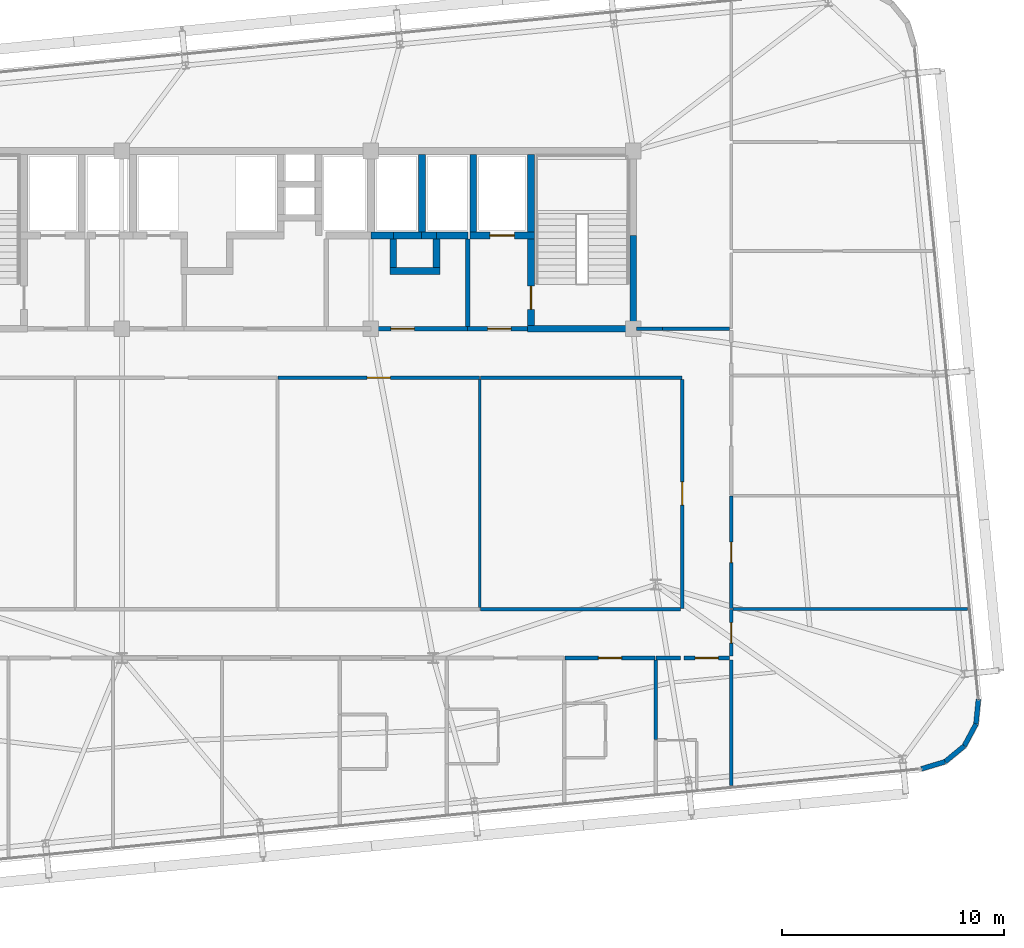
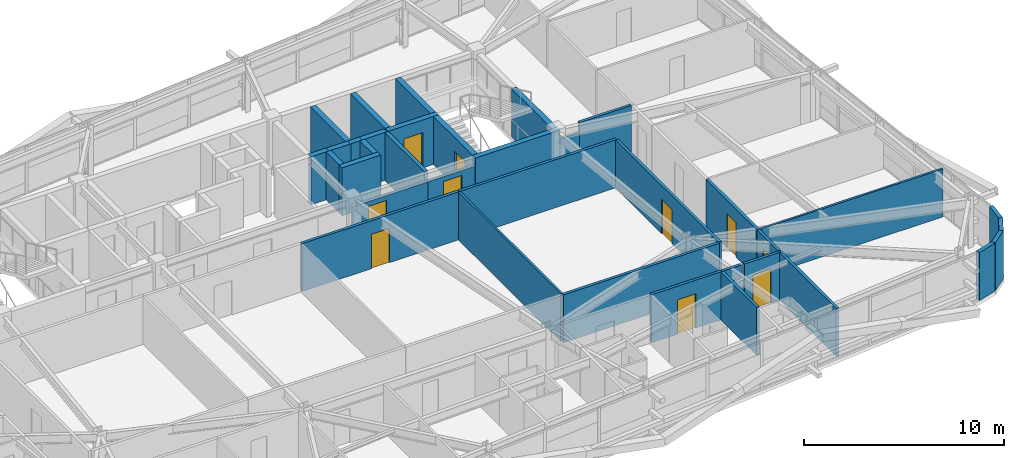
# One storey, part 49 of 53: 36 walls, 10 doors, 10 openings.
"""IFC4 building model written with IfcOpenShell, lengths in metres."""

from ifc_helpers import new_model, si_unit, direction, frame, frame_2d, origin, place, context, subcontext, project, spatial, rectangle, extrude, source, transform, mapped, material, layer, layer_set, type_object, element, fill, save


model = new_model("IFC4")

# Units and contexts
model_context = context("Model", 3, precision=1e-05, world=origin(), true_north=direction((0.0, 1.0)))
body_context = subcontext(model_context, "Body", "Model", "MODEL_VIEW")
ifc_project = project(units=[si_unit("LENGTHUNIT", "METRE"), si_unit("AREAUNIT", "SQUARE_METRE"), si_unit("VOLUMEUNIT", "CUBIC_METRE"), si_unit("PLANEANGLEUNIT", "RADIAN"), si_unit("MASSUNIT", "GRAM", prefix="KILO")], contexts=[model_context])

# Site, building, storey
site_placement = place(None, origin())
site = spatial("IfcSite", under=ifc_project, at=site_placement, CompositionType="ELEMENT")
building_placement = place(site_placement, origin())
building = spatial("IfcBuilding", under=site, at=building_placement, Name="Taldren Reach Tower", CompositionType="ELEMENT")
storey_placement = place(building_placement, frame((0.0, 0.0, 71.39990234375)))
storey = spatial("IfcBuildingStorey", under=building, at=storey_placement, Name="L21", CompositionType="ELEMENT", Elevation=71.39990234375)

# Walls
ifc_material_1 = material(Name="Pale Champagne Anodised Aluminium Cladding", Category="aluminium")
ifc_layer_1 = layer(ifc_material_1, 0.04, Name="Pale Champagne Anodised Aluminium Cladding", Category="aluminium")
ifc_material_2 = material(Name="Mineral Wool Acoustic Insulation", Category="insulation")
ifc_layer_2 = layer(ifc_material_2, 0.06, Name="Mineral Wool Acoustic Insulation", Category="insulation")
ifc_material_3 = material(Name="Steel Gr 350 (C350L0)", Category="steel")
ifc_layer_3 = layer(ifc_material_3, 0.12, Name="Steel Gr 350 (C350L0)", Category="steel")
ifc_layer_set_1 = layer_set([ifc_layer_1, ifc_layer_2, ifc_layer_3], Name="Pale Champagne Aluminium Cladding and Steel Gr 350 Stud Framing")
wall_type_1 = type_object("IfcWallType", Name="EW-CRN-220", PredefinedType="SOLIDWALL", material=ifc_layer_set_1)
shared_shape_1 = source(origin(), body_context, "Body", "SweptSolid", [
    extrude(rectangle(XDim=1.115966796875, YDim=0.219970703125, at=frame_2d((0.55810546875, 0.0))), origin(), (0.0, 0.0, 1.0), 2.93017578125),
])
for number, where, z_axis, x_axis, name in (
    (1, (65.01708984375, 4.537109375, 0.0), (0.0, 0.0, 1.0), (0.773342870285, 0.633988016432, 0.0), "Rounded-corner pale-metal facade wall L21-SE2"),
    (2, (66.406494140625, 6.228515625, 0.0), (0.0, 0.0, 1.0), (0.09844234778, 0.995142755671, 0.0), "Rounded-corner pale-metal facade wall L21-SE4"),
):
    element("IfcWall", number, at=place(storey_placement, frame(where, z_axis=z_axis, x_axis=x_axis)), inside=storey, type_object=wall_type_1, Name=name, PredefinedType="SOLIDWALL", context=body_context, shape_type="MappedRepresentation", body=[
        mapped(shared_shape_1, transform((0.0, 0.0, 0.0), scale=1.0)),
    ])
shared_shape_2 = source(origin(), body_context, "Body", "SweptSolid", [
    extrude(rectangle(XDim=1.11572265625, YDim=0.219970703125, at=frame_2d((0.557861328125, 0.0))), origin(), (0.0, 0.0, 1.0), 2.93017578125),
])
for number, where, z_axis, x_axis, name in (
    (3, (63.94921875, 4.213623046875, 0.0), (0.0, 0.0, 1.0), (0.957052003726, 0.289916301997, 0.0), "Rounded-corner pale-metal facade wall L21-SE1"),
    (4, (65.880126953125, 5.24462890625, 0.0), (0.0, 0.0, 1.0), (0.471723463201, 0.881746547635, 0.0), "Rounded-corner pale-metal facade wall L21-SE3"),
):
    element("IfcWall", number, at=place(storey_placement, frame(where, z_axis=z_axis, x_axis=x_axis)), inside=storey, type_object=wall_type_1, Name=name, PredefinedType="SOLIDWALL", context=body_context, shape_type="MappedRepresentation", body=[
        mapped(shared_shape_2, transform((0.0, 0.0, 0.0), scale=1.0)),
    ])

# Wall, opening, door
ifc_material_4 = material(Name="Fire-Rated Acoustic Plasterboard Stud Wall", Category="gypsum")
ifc_layer_4 = layer(ifc_material_4, 0.159912109375)
ifc_layer_set_2 = layer_set([ifc_layer_4], Name="Fire-Rated Acoustic Plasterboard Stud Wall")
wall_type_2 = type_object("IfcWallType", Name="IW-FIRE-160", PredefinedType="PARTITIONING", material=ifc_layer_set_2)
shared_shape_3 = source(origin(), body_context, "Body", "SweptSolid", [
    extrude(rectangle(XDim=2.0400390625, YDim=0.159912109375, at=frame_2d((1.02001953125, 0.0))), origin(), (0.0, 0.0, 1.0), 2.93017578125),
])
wall_1_placement = place(storey_placement, frame((55.320068359375, 9.199951171875, 0.0), z_axis=(0.0, 0.0, 1.0), x_axis=(-1.0, 0.0, 0.0)))
wall_1 = element("IfcWall", 5, at=wall_1_placement, inside=storey, type_object=wall_type_2, Name="Interior Partition Wall W-INT-L21-052", PredefinedType="PARTITIONING", context=body_context, shape_type="MappedRepresentation", body=[
    mapped(shared_shape_3, transform((0.0, 0.0, 0.0), scale=1.0)),
])
shared_shape_4 = source(origin(), body_context, "Body", "SweptSolid", [
    extrude(rectangle(XDim=1.050048828125, YDim=2.10009765625, at=frame_2d((0.52490234375, 1.050048828125))), frame((0.0, 0.08984375, 0.0), z_axis=(0.0, -1.0, 0.0), x_axis=(1.0, 0.0, 0.0)), (0.0, 0.0, 1.0), 0.179931640625),
])
opening_1_placement = place(wall_1_placement, frame((0.4951171875, 0.0, 0.0)))
opening_1 = element("IfcOpeningElement", 6, at=opening_1_placement, cuts=wall_1, Name="Opening DF-105", PredefinedType="OPENING", context=body_context, shape_type="MappedRepresentation", body=[
    mapped(shared_shape_4, transform((0.0, 0.0, 0.0), scale=1.0)),
])
ifc_material_5 = material(Name="Fire-Rated Care and Stair Exit Door")
door_type_1 = type_object("IfcDoorType", Name="ID-FIRE-105", OperationType="NOTDEFINED", PredefinedType="DOOR", material=ifc_material_5)
shared_shape_5 = source(origin(), body_context, "Body", "SweptSolid", [
    extrude(rectangle(XDim=1.050048828125, YDim=2.10009765625, at=frame_2d((0.52490234375, 1.050048828125))), frame((0.0, 0.02490234375, 0.0), z_axis=(0.0, -1.0, 0.0), x_axis=(1.0, 0.0, 0.0)), (0.0, 0.0, 1.0), 0.050048828125),
])
door_1_placement = place(opening_1_placement, origin())
door_1 = element("IfcDoor", 7, at=door_1_placement, inside=storey, type_object=door_type_1, Name="Interior Door DR-L21-013", OperationType="SINGLE_SWING_RIGHT", OverallHeight=2.10009765625, OverallWidth=1.050048828125, PredefinedType="DOOR", context=body_context, shape_type="MappedRepresentation", body=[
    mapped(shared_shape_5, transform((0.0, 0.0, 0.0), scale=1.0)),
])
fill(opening_1, door_1)

# Walls
shared_shape_6 = source(origin(), body_context, "Body", "SweptSolid", [
    extrude(rectangle(XDim=1.099853515625, YDim=0.159912109375, at=frame_2d((0.5498046875, 0.0))), origin(), (0.0, 0.0, 1.0), 2.93017578125),
])
wall_2_placement = place(storey_placement, frame((53.1201171875, 9.199951171875, 0.0), z_axis=(0.0, 0.0, 1.0), x_axis=(-1.0, 0.0, 0.0)))
element("IfcWall", 8, at=wall_2_placement, inside=storey, type_object=wall_type_2, Name="Interior Partition Wall W-INT-L21-077", PredefinedType="PARTITIONING", context=body_context, shape_type="MappedRepresentation", body=[
    mapped(shared_shape_6, transform((0.0, 0.0, 0.0), scale=1.0)),
])
ifc_material_6 = material(Name="Concrete S65 (65 MPa)", Category="concrete")
ifc_layer_5 = layer(ifc_material_6, 0.300048828125)
ifc_layer_set_3 = layer_set([ifc_layer_5], Name="Concrete S65 (65 MPa)")
wall_type_3 = type_object("IfcWallType", Name="IW-CORE-300", PredefinedType="SHEAR", material=ifc_layer_set_3)
shared_shape_7 = source(origin(), body_context, "Body", "SweptSolid", [
    extrude(rectangle(XDim=4.050048828125, YDim=0.300048828125, at=frame_2d((2.02490234375, 0.0))), origin(), (0.0, 0.0, 1.0), 2.93017578125),
])
wall_3_placement = place(storey_placement, frame((51.0, 24.14990234375, 0.0), z_axis=(0.0, 0.0, 1.0), x_axis=(0.0, 1.0, 0.0)))
element("IfcWall", 9, at=wall_3_placement, inside=storey, type_object=wall_type_3, Name="Rear Core Shear Wall W-CORE-L21-EAST1", PredefinedType="SHEAR", context=body_context, shape_type="MappedRepresentation", body=[
    mapped(shared_shape_7, transform((0.0, 0.0, 0.0), scale=1.0)),
])
shared_shape_8 = source(origin(), body_context, "Body", "SweptSolid", [
    extrude(rectangle(XDim=3.5, YDim=0.300048828125, at=frame_2d((1.75, 0.0))), origin(), (0.0, 0.0, 1.0), 2.93017578125),
])
for number, where, z_axis, x_axis, name in (
    (10, (46.39990234375, 31.85009765625, 0.0), (0.0, 0.0, 1.0), (0.0, -1.0, 0.0), "Rear Core Shear Wall W-INT-L21-008"),
    (11, (43.800048828125, 31.85009765625, 0.0), (0.0, 0.0, 1.0), (0.0, -1.0, 0.0), "Rear Core Shear Wall W-INT-L21-012"),
    (12, (41.5, 28.35009765625, 0.0), (0.0, 0.0, 1.0), (0.0, 1.0, 0.0), "Rear Core Shear Wall W-INT-L21-039"),
):
    element("IfcWall", number, at=place(storey_placement, frame(where, z_axis=z_axis, x_axis=x_axis)), inside=storey, type_object=wall_type_3, Name=name, PredefinedType="SHEAR", context=body_context, shape_type="MappedRepresentation", body=[
        mapped(shared_shape_8, transform((0.0, 0.0, 0.0), scale=1.0)),
    ])

# Wall, opening, door
shared_shape_9 = source(origin(), body_context, "Body", "SweptSolid", [
    extrude(rectangle(XDim=3.900146484375, YDim=0.300048828125, at=frame_2d((1.9501953125, 0.0))), origin(), (0.0, 0.0, 1.0), 2.93017578125),
])
wall_4_placement = place(storey_placement, frame((46.39990234375, 28.050048828125, 0.0), z_axis=(0.0, 0.0, 1.0), x_axis=(0.0, -1.0, 0.0)))
wall_4 = element("IfcWall", 13, at=wall_4_placement, inside=storey, type_object=wall_type_3, Name="Rear Core Shear Wall W-INT-L21-009", PredefinedType="SHEAR", context=body_context, shape_type="MappedRepresentation", body=[
    mapped(shared_shape_9, transform((0.0, 0.0, 0.0), scale=1.0)),
])
shared_shape_10 = source(origin(), body_context, "Body", "SweptSolid", [
    extrude(rectangle(XDim=1.050048828125, YDim=2.10009765625, at=frame_2d((0.52490234375, 1.050048828125))), frame((0.0, 0.16015625, 0.0), z_axis=(0.0, -1.0, 0.0), x_axis=(1.0, 0.0, 0.0)), (0.0, 0.0, 1.0), 0.320068359375),
])
opening_2_placement = place(wall_4_placement, frame((2.125, 0.0, 0.0)))
opening_2 = element("IfcOpeningElement", 14, at=opening_2_placement, cuts=wall_4, Name="Opening DF-105", PredefinedType="OPENING", context=body_context, shape_type="MappedRepresentation", body=[
    mapped(shared_shape_10, transform((0.0, 0.0, 0.0), scale=1.0)),
])
door_2_placement = place(opening_2_placement, origin())
door_2 = element("IfcDoor", 15, at=door_2_placement, inside=storey, type_object=door_type_1, Name="Fire Exit Stair Door DR-L21-003", OperationType="SINGLE_SWING_RIGHT", OverallHeight=2.10009765625, OverallWidth=1.050048828125, PredefinedType="DOOR", context=body_context, shape_type="MappedRepresentation", body=[
    mapped(shared_shape_5, transform((0.0, 0.0, 0.0), scale=1.0)),
])
fill(opening_2, door_2)

# Wall
shared_shape_11 = source(origin(), body_context, "Body", "SweptSolid", [
    extrude(rectangle(XDim=4.89990234375, YDim=0.300048828125, at=frame_2d((2.449951171875, 0.0))), origin(), (0.0, 0.0, 1.0), 2.93017578125),
])
wall_5_placement = place(storey_placement, frame((46.25, 24.0, 0.0), z_axis=(0.0, 0.0, 1.0), x_axis=(1.0, 0.0, 0.0)))
element("IfcWall", 16, at=wall_5_placement, inside=storey, type_object=wall_type_3, Name="Rear Core Shear Wall W-INT-L21-010", PredefinedType="SHEAR", context=body_context, shape_type="MappedRepresentation", body=[
    mapped(shared_shape_11, transform((0.0, 0.0, 0.0), scale=1.0)),
])

# Wall, opening, door
shared_shape_12 = source(origin(), body_context, "Body", "SweptSolid", [
    extrude(rectangle(XDim=2.900146484375, YDim=0.300048828125, at=frame_2d((1.4501953125, 0.0))), origin(), (0.0, 0.0, 1.0), 2.93017578125),
])
wall_6_placement = place(storey_placement, frame((43.64990234375, 28.199951171875, 0.0), z_axis=(0.0, 0.0, 1.0), x_axis=(1.0, 0.0, 0.0)))
wall_6 = element("IfcWall", 17, at=wall_6_placement, inside=storey, type_object=wall_type_3, Name="Rear Core Shear Wall W-INT-L21-011", PredefinedType="SHEAR", context=body_context, shape_type="MappedRepresentation", body=[
    mapped(shared_shape_12, transform((0.0, 0.0, 0.0), scale=1.0)),
])
shared_shape_13 = source(origin(), body_context, "Body", "SweptSolid", [
    extrude(rectangle(XDim=1.10009765625, YDim=2.14990234375, at=frame_2d((0.550048828125, 1.074951171875))), frame((0.0, 0.16015625, 0.0), z_axis=(0.0, -1.0, 0.0), x_axis=(1.0, 0.0, 0.0)), (0.0, 0.0, 1.0), 0.320068359375),
])
opening_3_placement = place(wall_6_placement, frame((0.89990234375, 0.0, 0.0)))
opening_3 = element("IfcOpeningElement", 18, at=opening_3_placement, cuts=wall_6, Name="Opening LD-FL2", PredefinedType="OPENING", context=body_context, shape_type="MappedRepresentation", body=[
    mapped(shared_shape_13, transform((0.0, 0.0, 0.0), scale=1.0)),
])
ifc_material_7 = material(Name="Stainless Steel Gr 316 Emergency Lift Landing Door", Category="steel")
door_type_2 = type_object("IfcDoorType", Name="LD-EMG-110", OperationType="SLIDING_TO_LEFT", PredefinedType="DOOR", material=ifc_material_7)
shared_shape_14 = source(origin(), body_context, "Body", "SweptSolid", [
    extrude(rectangle(XDim=1.10009765625, YDim=2.14990234375, at=frame_2d((0.550048828125, 1.074951171875))), frame((0.0, 0.02490234375, 0.0), z_axis=(0.0, -1.0, 0.0), x_axis=(1.0, 0.0, 0.0)), (0.0, 0.0, 1.0), 0.050048828125),
])
door_3_placement = place(opening_3_placement, origin())
door_3 = element("IfcDoor", 19, at=door_3_placement, inside=storey, type_object=door_type_2, Name="Lift Landing Door LD-FL2-L21", OperationType="SLIDING_TO_LEFT", OverallHeight=2.14990234375, OverallWidth=1.10009765625, PredefinedType="DOOR", context=body_context, shape_type="MappedRepresentation", body=[
    mapped(shared_shape_14, transform((0.0, 0.0, 0.0), scale=1.0)),
])
fill(opening_3, door_3)

# Wall
ifc_material_8 = material(Name="Concrete S50 (50 MPa)", Category="concrete")
ifc_layer_6 = layer(ifc_material_8, 0.199951171875)
ifc_layer_set_4 = layer_set([ifc_layer_6], Name="Concrete S50 (50 MPa)")
wall_type_4 = type_object("IfcWallType", Name="IW-CORE-200", PredefinedType="SOLIDWALL", material=ifc_layer_set_4)
shared_shape_15 = source(origin(), body_context, "Body", "SweptSolid", [
    extrude(rectangle(XDim=3.949951171875, YDim=0.199951171875, at=frame_2d((1.97509765625, 0.0))), origin(), (0.0, 0.0, 1.0), 2.93017578125),
])
wall_7_placement = place(storey_placement, frame((43.550048828125, 28.050048828125, 0.0), z_axis=(0.0, 0.0, 1.0), x_axis=(0.0, -1.0, 0.0)))
element("IfcWall", 20, at=wall_7_placement, inside=storey, type_object=wall_type_4, Name="Rear Core Shear Wall W-INT-L21-013", PredefinedType="SOLIDWALL", context=body_context, shape_type="MappedRepresentation", body=[
    mapped(shared_shape_15, transform((0.0, 0.0, 0.0), scale=1.0)),
])

# Wall, opening, door
shared_shape_16 = source(origin(), body_context, "Body", "SweptSolid", [
    extrude(rectangle(XDim=2.699951171875, YDim=0.199951171875, at=frame_2d((1.35009765625, 0.0))), origin(), (0.0, 0.0, 1.0), 2.397216796875),
])
wall_8_placement = place(storey_placement, frame((43.550048828125, 24.0, 0.0), z_axis=(0.0, 0.0, 1.0), x_axis=(1.0, 0.0, 0.0)))
wall_8 = element("IfcWall", 21, at=wall_8_placement, inside=storey, type_object=wall_type_4, Name="Rear Core Shear Wall W-INT-L21-014", PredefinedType="SOLIDWALL", context=body_context, shape_type="MappedRepresentation", body=[
    mapped(shared_shape_16, transform((0.0, 0.0, 0.0), scale=1.0)),
])
shared_shape_17 = source(origin(), body_context, "Body", "SweptSolid", [
    extrude(rectangle(XDim=1.050048828125, YDim=2.10009765625, at=frame_2d((0.52490234375, 1.050048828125))), frame((0.0, 0.10986328125, 0.0), z_axis=(0.0, -1.0, 0.0), x_axis=(1.0, 0.0, 0.0)), (0.0, 0.0, 1.0), 0.219970703125),
])
opening_4_placement = place(wall_8_placement, frame((0.89990234375, 0.0, 0.0)))
opening_4 = element("IfcOpeningElement", 22, at=opening_4_placement, cuts=wall_8, Name="Opening DF-105", PredefinedType="OPENING", context=body_context, shape_type="MappedRepresentation", body=[
    mapped(shared_shape_17, transform((0.0, 0.0, 0.0), scale=1.0)),
])
door_4_placement = place(opening_4_placement, origin())
door_4 = element("IfcDoor", 23, at=door_4_placement, inside=storey, type_object=door_type_1, Name="Interior Door DR-L21-004", OperationType="SINGLE_SWING_LEFT", OverallHeight=2.10009765625, OverallWidth=1.050048828125, PredefinedType="DOOR", context=body_context, shape_type="MappedRepresentation", body=[
    mapped(shared_shape_5, transform((0.0, 0.0, 0.0), scale=1.0)),
])
fill(opening_4, door_4)

# Walls
shared_shape_18 = source(origin(), body_context, "Body", "SweptSolid", [
    extrude(rectangle(XDim=1.300048828125, YDim=0.300048828125, at=frame_2d((0.64990234375, 0.0))), origin(), (0.0, 0.0, 1.0), 2.93017578125),
])
for number, where, z_axis, x_axis, name in (
    (24, (40.199951171875, 28.050048828125, 0.0), (0.0, 0.0, 1.0), (0.0, -1.0, 0.0), "Rear Core Shear Wall W-INT-L21-027"),
    (25, (42.14990234375, 26.75, 0.0), (0.0, 0.0, 1.0), (0.0, 1.0, 0.0), "Rear Core Shear Wall W-INT-L21-028"),
):
    element("IfcWall", number, at=place(storey_placement, frame(where, z_axis=z_axis, x_axis=x_axis)), inside=storey, type_object=wall_type_3, Name=name, PredefinedType="SHEAR", context=body_context, shape_type="MappedRepresentation", body=[
        mapped(shared_shape_18, transform((0.0, 0.0, 0.0), scale=1.0)),
    ])
shared_shape_19 = source(origin(), body_context, "Body", "SweptSolid", [
    extrude(rectangle(XDim=1.320068359375, YDim=0.300048828125, at=frame_2d((0.66015625, 0.0))), origin(), (0.0, 0.0, 1.0), 2.93017578125),
])
wall_9_placement = place(storey_placement, frame((41.52001953125, 28.199951171875, 0.0), z_axis=(0.0, 0.0, 1.0), x_axis=(-1.0, 0.0, 0.0)))
element("IfcWall", 26, at=wall_9_placement, inside=storey, type_object=wall_type_3, Name="Rear Core Shear Wall W-INT-L21-024", PredefinedType="SHEAR", context=body_context, shape_type="MappedRepresentation", body=[
    mapped(shared_shape_19, transform((0.0, 0.0, 0.0), scale=1.0)),
])
shared_shape_20 = source(origin(), body_context, "Body", "SweptSolid", [
    extrude(rectangle(XDim=0.669921875, YDim=0.300048828125, at=frame_2d((0.3349609375, 0.0))), origin(), (0.0, 0.0, 1.0), 2.93017578125),
])
wall_10_placement = place(storey_placement, frame((42.14990234375, 28.199951171875, 0.0), z_axis=(0.0, 0.0, 1.0), x_axis=(-1.0, 0.0, 0.0)))
element("IfcWall", 27, at=wall_10_placement, inside=storey, type_object=wall_type_3, Name="Rear Core Shear Wall W-INT-L21-025", PredefinedType="SHEAR", context=body_context, shape_type="MappedRepresentation", body=[
    mapped(shared_shape_20, transform((0.0, 0.0, 0.0), scale=1.0)),
])
shared_shape_21 = source(origin(), body_context, "Body", "SweptSolid", [
    extrude(rectangle(XDim=2.25, YDim=0.300048828125, at=frame_2d((1.125, 0.0))), origin(), (0.0, 0.0, 1.0), 2.93017578125),
])
wall_11_placement = place(storey_placement, frame((40.050048828125, 26.60009765625, 0.0), z_axis=(0.0, 0.0, 1.0), x_axis=(1.0, 0.0, 0.0)))
element("IfcWall", 28, at=wall_11_placement, inside=storey, type_object=wall_type_3, Name="Rear Core Shear Wall W-INT-L21-026", PredefinedType="SHEAR", context=body_context, shape_type="MappedRepresentation", body=[
    mapped(shared_shape_21, transform((0.0, 0.0, 0.0), scale=1.0)),
])
shared_shape_22 = source(origin(), body_context, "Body", "SweptSolid", [
    extrude(rectangle(XDim=1.02001953125, YDim=0.300048828125, at=frame_2d((0.510009765625, 0.0))), origin(), (0.0, 0.0, 1.0), 2.93017578125),
])
wall_12_placement = place(storey_placement, frame((39.199951171875, 28.199951171875, 0.0), z_axis=(0.0, 0.0, 1.0), x_axis=(1.0, 0.0, 0.0)))
element("IfcWall", 29, at=wall_12_placement, inside=storey, type_object=wall_type_3, Name="Rear Core Shear Wall W-INT-L21-040", PredefinedType="SHEAR", context=body_context, shape_type="MappedRepresentation", body=[
    mapped(shared_shape_22, transform((0.0, 0.0, 0.0), scale=1.0)),
])
shared_shape_23 = source(origin(), body_context, "Body", "SweptSolid", [
    extrude(rectangle(XDim=1.440185546875, YDim=0.300048828125, at=frame_2d((0.72021484375, 0.0))), origin(), (0.0, 0.0, 1.0), 2.93017578125),
])
wall_13_placement = place(storey_placement, frame((42.1298828125, 28.199951171875, 0.0), z_axis=(0.0, 0.0, 1.0), x_axis=(1.0, 0.0, 0.0)))
element("IfcWall", 30, at=wall_13_placement, inside=storey, type_object=wall_type_3, Name="Rear Core Shear Wall W-INT-L21-041", PredefinedType="SHEAR", context=body_context, shape_type="MappedRepresentation", body=[
    mapped(shared_shape_23, transform((0.0, 0.0, 0.0), scale=1.0)),
])

# Wall, opening, door
shared_shape_24 = source(origin(), body_context, "Body", "SweptSolid", [
    extrude(rectangle(XDim=4.35009765625, YDim=0.199951171875, at=frame_2d((2.175048828125, 0.0))), origin(), (0.0, 0.0, 1.0), 2.397216796875),
])
wall_14_placement = place(storey_placement, frame((43.550048828125, 24.0, 0.0), z_axis=(0.0, 0.0, 1.0), x_axis=(-1.0, 0.0, 0.0)))
wall_14 = element("IfcWall", 31, at=wall_14_placement, inside=storey, type_object=wall_type_4, Name="Rear Core Shear Wall W-INT-L21-044", PredefinedType="SOLIDWALL", context=body_context, shape_type="MappedRepresentation", body=[
    mapped(shared_shape_24, transform((0.0, 0.0, 0.0), scale=1.0)),
])
opening_5_placement = place(wall_14_placement, frame((2.39990234375, 0.0, 0.0)))
opening_5 = element("IfcOpeningElement", 32, at=opening_5_placement, cuts=wall_14, Name="Opening DF-105", PredefinedType="OPENING", context=body_context, shape_type="MappedRepresentation", body=[
    mapped(shared_shape_17, transform((0.0, 0.0, 0.0), scale=1.0)),
])
door_5_placement = place(opening_5_placement, frame((1.050048828125, 0.0, 0.0), z_axis=(0.0, 0.0, 1.0), x_axis=(-1.0, 0.0, 0.0)))
door_5 = element("IfcDoor", 33, at=door_5_placement, inside=storey, type_object=door_type_1, Name="Interior Door DR-L21-007", OperationType="SINGLE_SWING_RIGHT", OverallHeight=2.10009765625, OverallWidth=1.050048828125, PredefinedType="DOOR", context=body_context, shape_type="MappedRepresentation", body=[
    mapped(shared_shape_5, transform((0.0, 0.0, 0.0), scale=1.0)),
])
fill(opening_5, door_5)

shared_shape_25 = source(origin(), body_context, "Body", "SweptSolid", [
    extrude(rectangle(XDim=10.2998046875, YDim=0.159912109375, at=frame_2d((5.14990234375, 0.0))), origin(), (0.0, 0.0, 1.0), 2.93017578125),
])
wall_15_placement = place(storey_placement, frame((53.199951171875, 11.420166015625, 0.0), z_axis=(0.0, 0.0, 1.0), x_axis=(0.0, 1.0, 0.0)))
wall_15 = element("IfcWall", 34, at=wall_15_placement, inside=storey, type_object=wall_type_2, Name="Interior Partition Wall W-INT-L21-049", PredefinedType="PARTITIONING", context=body_context, shape_type="MappedRepresentation", body=[
    mapped(shared_shape_25, transform((0.0, 0.0, 0.0), scale=1.0)),
])
opening_6_placement = place(wall_15_placement, frame((4.65478515625, 0.0, 0.0)))
opening_6 = element("IfcOpeningElement", 35, at=opening_6_placement, cuts=wall_15, Name="Opening DF-105", PredefinedType="OPENING", context=body_context, shape_type="MappedRepresentation", body=[
    mapped(shared_shape_4, transform((0.0, 0.0, 0.0), scale=1.0)),
])
door_6_placement = place(opening_6_placement, origin())
door_6 = element("IfcDoor", 36, at=door_6_placement, inside=storey, type_object=door_type_1, Name="Interior Door DR-L21-011", OperationType="SINGLE_SWING_RIGHT", OverallHeight=2.10009765625, OverallWidth=1.050048828125, PredefinedType="DOOR", context=body_context, shape_type="MappedRepresentation", body=[
    mapped(shared_shape_5, transform((0.0, 0.0, 0.0), scale=1.0)),
])
fill(opening_6, door_6)

shared_shape_26 = source(origin(), body_context, "Body", "SweptSolid", [
    extrude(rectangle(XDim=9.0595703125, YDim=0.159912109375, at=frame_2d((4.52978515625, 0.0))), origin(), (0.0, 0.0, 1.0), 2.93017578125),
])
wall_16_placement = place(storey_placement, frame((44.079833984375, 21.800048828125, 0.0), z_axis=(0.0, 0.0, 1.0), x_axis=(-1.0, 0.0, 0.0)))
wall_16 = element("IfcWall", 37, at=wall_16_placement, inside=storey, type_object=wall_type_2, Name="Interior Partition Wall W-INT-L21-048", PredefinedType="PARTITIONING", context=body_context, shape_type="MappedRepresentation", body=[
    mapped(shared_shape_26, transform((0.0, 0.0, 0.0), scale=1.0)),
])
opening_7_placement = place(wall_16_placement, frame((4.0048828125, 0.0, 0.0)))
opening_7 = element("IfcOpeningElement", 38, at=opening_7_placement, cuts=wall_16, Name="Opening DF-105", PredefinedType="OPENING", context=body_context, shape_type="MappedRepresentation", body=[
    mapped(shared_shape_4, transform((0.0, 0.0, 0.0), scale=1.0)),
])
door_7_placement = place(opening_7_placement, origin())
door_7 = element("IfcDoor", 39, at=door_7_placement, inside=storey, type_object=door_type_1, Name="Interior Door DR-L21-010", OperationType="SINGLE_SWING_LEFT", OverallHeight=2.10009765625, OverallWidth=1.050048828125, PredefinedType="DOOR", context=body_context, shape_type="MappedRepresentation", body=[
    mapped(shared_shape_5, transform((0.0, 0.0, 0.0), scale=1.0)),
])
fill(opening_7, door_7)

# Wall
wall_17_placement = place(storey_placement, frame((53.1796875, 21.800048828125, 0.0), z_axis=(0.0, 0.0, 1.0), x_axis=(-1.0, 0.0, 0.0)))
element("IfcWall", 40, at=wall_17_placement, inside=storey, type_object=wall_type_2, Name="Interior Partition Wall W-INT-L21-050", PredefinedType="PARTITIONING", context=body_context, shape_type="MappedRepresentation", body=[
    mapped(shared_shape_26, transform((0.0, 0.0, 0.0), scale=1.0)),
])

# Wall, opening, door
shared_shape_27 = source(origin(), body_context, "Body", "SweptSolid", [
    extrude(rectangle(XDim=2.099853515625, YDim=0.159912109375, at=frame_2d((1.0498046875, 0.0))), origin(), (0.0, 0.0, 1.0), 2.93017578125),
])
wall_18_placement = place(storey_placement, frame((55.39990234375, 11.3798828125, 0.0), z_axis=(0.0, 0.0, 1.0), x_axis=(0.0, -1.0, 0.0)))
wall_18 = element("IfcWall", 41, at=wall_18_placement, inside=storey, type_object=wall_type_2, Name="Interior Partition Wall W-INT-L21-059", PredefinedType="PARTITIONING", context=body_context, shape_type="MappedRepresentation", body=[
    mapped(shared_shape_27, transform((0.0, 0.0, 0.0), scale=1.0)),
])
shared_shape_28 = source(origin(), body_context, "Body", "SweptSolid", [
    extrude(rectangle(XDim=0.919921875, YDim=2.10009765625, at=frame_2d((0.4599609375, 1.050048828125))), frame((0.0, 0.08984375, 0.0), z_axis=(0.0, -1.0, 0.0), x_axis=(1.0, 0.0, 0.0)), (0.0, 0.0, 1.0), 0.179931640625),
])
opening_8_placement = place(wall_18_placement, frame((0.58984375, 0.0, 0.0)))
opening_8 = element("IfcOpeningElement", 42, at=opening_8_placement, cuts=wall_18, Name="Opening DI-092", PredefinedType="OPENING", context=body_context, shape_type="MappedRepresentation", body=[
    mapped(shared_shape_28, transform((0.0, 0.0, 0.0), scale=1.0)),
])
ifc_material_9 = material(Name="Solid-Core Timber Suite Door", Category="wood")
door_type_3 = type_object("IfcDoorType", Name="ID-INT-092", OperationType="NOTDEFINED", PredefinedType="DOOR", material=ifc_material_9)
shared_shape_29 = source(origin(), body_context, "Body", "SweptSolid", [
    extrude(rectangle(XDim=0.919921875, YDim=2.10009765625, at=frame_2d((0.4599609375, 1.050048828125))), frame((0.0, 0.02490234375, 0.0), z_axis=(0.0, -1.0, 0.0), x_axis=(1.0, 0.0, 0.0)), (0.0, 0.0, 1.0), 0.050048828125),
])
door_8_placement = place(opening_8_placement, origin())
door_8 = element("IfcDoor", 43, at=door_8_placement, inside=storey, type_object=door_type_3, Name="Interior Door DR-L21-018", OperationType="SINGLE_SWING_LEFT", OverallHeight=2.10009765625, OverallWidth=0.919921875, PredefinedType="DOOR", context=body_context, shape_type="MappedRepresentation", body=[
    mapped(shared_shape_29, transform((0.0, 0.0, 0.0), scale=1.0)),
])
fill(opening_8, door_8)

shared_shape_30 = source(origin(), body_context, "Body", "SweptSolid", [
    extrude(rectangle(XDim=5.0595703125, YDim=0.159912109375, at=frame_2d((2.52978515625, 0.0))), origin(), (0.0, 0.0, 1.0), 2.93017578125),
])
wall_19_placement = place(storey_placement, frame((55.39990234375, 16.479736328125, 0.0), z_axis=(0.0, 0.0, 1.0), x_axis=(0.0, -1.0, 0.0)))
wall_19 = element("IfcWall", 44, at=wall_19_placement, inside=storey, type_object=wall_type_2, Name="Interior Partition Wall W-INT-L21-060", PredefinedType="PARTITIONING", context=body_context, shape_type="MappedRepresentation", body=[
    mapped(shared_shape_30, transform((0.0, 0.0, 0.0), scale=1.0)),
])
opening_9_placement = place(wall_19_placement, frame((2.06982421875, 0.0, 0.0)))
opening_9 = element("IfcOpeningElement", 45, at=opening_9_placement, cuts=wall_19, Name="Opening DI-092", PredefinedType="OPENING", context=body_context, shape_type="MappedRepresentation", body=[
    mapped(shared_shape_28, transform((0.0, 0.0, 0.0), scale=1.0)),
])
door_9_placement = place(opening_9_placement, origin())
door_9 = element("IfcDoor", 46, at=door_9_placement, inside=storey, type_object=door_type_3, Name="Interior Door DR-L21-019", OperationType="SINGLE_SWING_RIGHT", OverallHeight=2.10009765625, OverallWidth=0.919921875, PredefinedType="DOOR", context=body_context, shape_type="MappedRepresentation", body=[
    mapped(shared_shape_29, transform((0.0, 0.0, 0.0), scale=1.0)),
])
fill(opening_9, door_9)

# Walls
shared_shape_31 = source(origin(), body_context, "Body", "SweptSolid", [
    extrude(rectangle(XDim=1.154541015625, YDim=0.159912109375, at=frame_2d((0.5771484375, 0.0))), origin(), (0.0, 0.0, 1.0), 2.328125),
])
wall_20_placement = place(storey_placement, frame((51.14990234375, 24.0, 0.0), z_axis=(0.0, 0.0, 1.0), x_axis=(1.0, 0.0, 0.0)))
element("IfcWall", 47, at=wall_20_placement, inside=storey, type_object=wall_type_2, Name="Interior Partition Wall W-INT-L21-064", PredefinedType="PARTITIONING", context=body_context, shape_type="MappedRepresentation", body=[
    mapped(shared_shape_31, transform((0.0, 0.0, 0.0), scale=1.0)),
])
shared_shape_32 = source(origin(), body_context, "Body", "SweptSolid", [
    extrude(rectangle(XDim=3.015625, YDim=0.159912109375, at=frame_2d((1.5078125, 0.0))), origin(), (0.0, 0.0, 1.0), 2.93017578125),
])
wall_21_placement = place(storey_placement, frame((52.304443359375, 24.0, 0.0), z_axis=(0.0, 0.0, 1.0), x_axis=(1.0, 0.0, 0.0)))
element("IfcWall", 48, at=wall_21_placement, inside=storey, type_object=wall_type_2, Name="Interior Partition Wall W-INT-L21-064 part 2", PredefinedType="PARTITIONING", context=body_context, shape_type="MappedRepresentation", body=[
    mapped(shared_shape_32, transform((0.0, 0.0, 0.0), scale=1.0)),
])
shared_shape_33 = source(origin(), body_context, "Body", "SweptSolid", [
    extrude(rectangle(XDim=9.0, YDim=0.159912109375, at=frame_2d((4.5, 0.0))), origin(), (0.0, 0.0, 1.0), 2.93017578125),
])
wall_22_placement = place(storey_placement, frame((44.1201171875, 11.39990234375, 0.0), z_axis=(0.0, 0.0, 1.0), x_axis=(1.0, 0.0, 0.0)))
element("IfcWall", 49, at=wall_22_placement, inside=storey, type_object=wall_type_2, Name="Interior Partition Wall W-INT-L21-068", PredefinedType="PARTITIONING", context=body_context, shape_type="MappedRepresentation", body=[
    mapped(shared_shape_33, transform((0.0, 0.0, 0.0), scale=1.0)),
])

# Wall, opening, door
shared_shape_34 = source(origin(), body_context, "Body", "SweptSolid", [
    extrude(rectangle(XDim=4.059326171875, YDim=0.159912109375, at=frame_2d((2.02978515625, 0.0))), origin(), (0.0, 0.0, 1.0), 2.93017578125),
])
wall_23_placement = place(storey_placement, frame((51.979736328125, 9.199951171875, 0.0), z_axis=(0.0, 0.0, 1.0), x_axis=(-1.0, 0.0, 0.0)))
wall_23 = element("IfcWall", 50, at=wall_23_placement, inside=storey, type_object=wall_type_2, Name="Interior Partition Wall W-INT-L21-076", PredefinedType="PARTITIONING", context=body_context, shape_type="MappedRepresentation", body=[
    mapped(shared_shape_34, transform((0.0, 0.0, 0.0), scale=1.0)),
])
opening_10_placement = place(wall_23_placement, frame((1.504638671875, 0.0, 0.0)))
opening_10 = element("IfcOpeningElement", 51, at=opening_10_placement, cuts=wall_23, Name="Opening DF-105", PredefinedType="OPENING", context=body_context, shape_type="MappedRepresentation", body=[
    mapped(shared_shape_4, transform((0.0, 0.0, 0.0), scale=1.0)),
])
door_10_placement = place(opening_10_placement, origin())
door_10 = element("IfcDoor", 52, at=door_10_placement, inside=storey, type_object=door_type_1, Name="Interior Door DR-L21-029", OperationType="SINGLE_SWING_RIGHT", OverallHeight=2.10009765625, OverallWidth=1.050048828125, PredefinedType="DOOR", context=body_context, shape_type="MappedRepresentation", body=[
    mapped(shared_shape_5, transform((0.0, 0.0, 0.0), scale=1.0)),
])
fill(opening_10, door_10)

# Walls
ifc_material_10 = material(Name="Insulated Residential Stud Partition", Category="gypsum")
ifc_layer_7 = layer(ifc_material_10, 0.1201171875)
ifc_layer_set_5 = layer_set([ifc_layer_7], Name="Insulated Residential Stud Partition")
wall_type_5 = type_object("IfcWallType", Name="IW-PART-120", PredefinedType="PARTITIONING", material=ifc_layer_set_5)
shared_shape_35 = source(origin(), body_context, "Body", "SweptSolid", [
    extrude(rectangle(XDim=10.239990234375, YDim=0.1201171875, at=frame_2d((5.1201171875, 0.0))), origin(), (0.0, 0.0, 1.0), 2.93017578125),
])
wall_24_placement = place(storey_placement, frame((44.10009765625, 21.719970703125, 0.0), z_axis=(0.0, 0.0, 1.0), x_axis=(0.0, -1.0, 0.0)))
element("IfcWall", 53, at=wall_24_placement, inside=storey, type_object=wall_type_5, Name="Interior Partition Wall W-INT-L21-080", PredefinedType="PARTITIONING", context=body_context, shape_type="MappedRepresentation", body=[
    mapped(shared_shape_35, transform((0.0, 0.0, 0.0), scale=1.0)),
])
shared_shape_36 = source(origin(), body_context, "Body", "SweptSolid", [
    extrude(rectangle(XDim=3.58740234375, YDim=0.159912109375, at=frame_2d((1.793701171875, 0.0))), origin(), (0.0, 0.0, 1.0), 2.93017578125),
])
wall_25_placement = place(storey_placement, frame((52.0, 9.117919921875, 0.0), z_axis=(0.0, 0.0, 1.0), x_axis=(0.0, -1.0, 0.0)))
element("IfcWall", 54, at=wall_25_placement, inside=storey, type_object=wall_type_2, Name="Interior Partition Wall W-INT-L21-109", PredefinedType="PARTITIONING", context=body_context, shape_type="MappedRepresentation", body=[
    mapped(shared_shape_36, transform((0.0, 0.0, 0.0), scale=1.0)),
])
shared_shape_37 = source(origin(), body_context, "Body", "SweptSolid", [
    extrude(rectangle(XDim=5.657958984375, YDim=0.159912109375, at=frame_2d((2.8291015625, 0.0))), origin(), (0.0, 0.0, 1.0), 2.93017578125),
])
wall_26_placement = place(storey_placement, frame((55.39990234375, 9.117919921875, 0.0), z_axis=(0.0, 0.0, 1.0), x_axis=(0.0, -1.0, 0.0)))
element("IfcWall", 55, at=wall_26_placement, inside=storey, type_object=wall_type_2, Name="Interior Partition Wall W-INT-L21-113", PredefinedType="PARTITIONING", context=body_context, shape_type="MappedRepresentation", body=[
    mapped(shared_shape_37, transform((0.0, 0.0, 0.0), scale=1.0)),
])
shared_shape_38 = source(origin(), body_context, "Body", "SweptSolid", [
    extrude(rectangle(XDim=10.5556640625, YDim=0.1201171875, at=frame_2d((5.27783203125, 0.0))), origin(), (0.0, 0.0, 1.0), 2.93017578125),
])
wall_27_placement = place(storey_placement, frame((55.47998046875, 11.39990234375, 0.0), z_axis=(0.0, 0.0, 1.0), x_axis=(1.0, 0.0, 0.0)))
element("IfcWall", 56, at=wall_27_placement, inside=storey, type_object=wall_type_5, Name="Interior Partition Wall W-INT-L21-132", PredefinedType="PARTITIONING", context=body_context, shape_type="MappedRepresentation", body=[
    mapped(shared_shape_38, transform((0.0, 0.0, 0.0), scale=1.0)),
])

save(model, "model.ifc")
